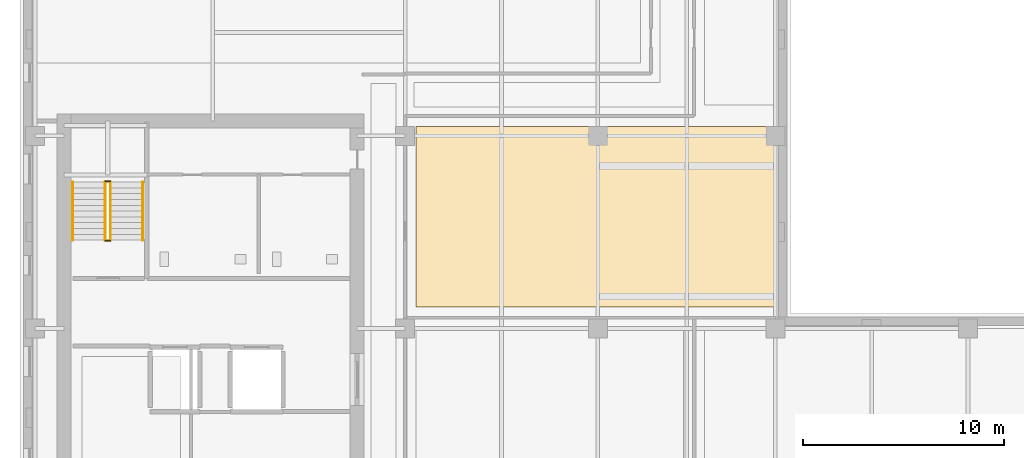
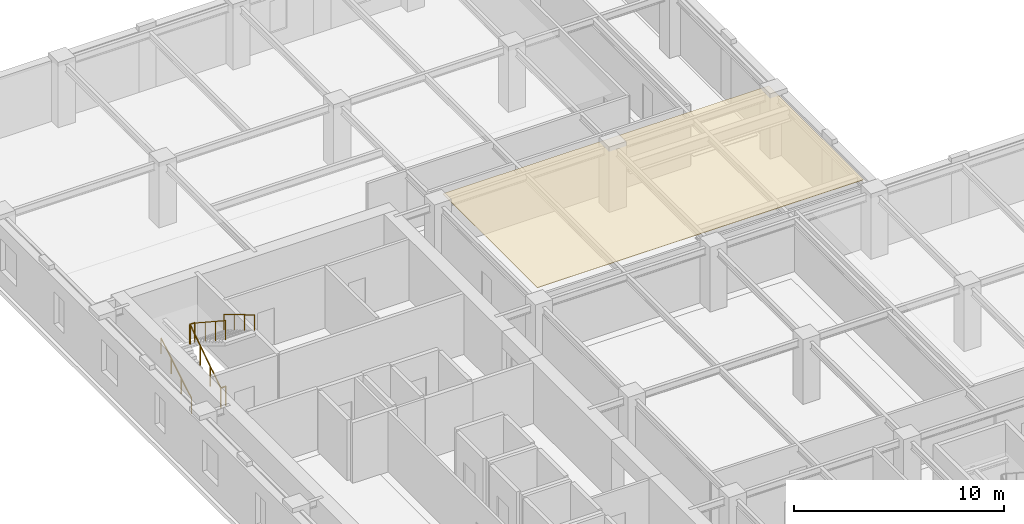
# One storey, part 11 of 13: 6 railings, 1 covering.
"""IFC4 building model written with IfcOpenShell, lengths in metres."""

import ifcopenshell
import ifcopenshell.guid

model = None  # the IFC model being written
_history = None  # IfcOwnerHistory: only IFC2X3 demands one
_inside = {}  # id of a spatial element -> (the spatial element, [elements in it])
_under = {}  # id of a project, library or spatial element -> (it, [spatial elements below it])
_declared = {}  # id of a project -> (the project, [libraries it declares])
_typed = {}  # id of a type object -> (the type object, [elements of that type])
_made_of = {}  # id of a material, layer set ... -> (it, [elements and type objects made of it])


def new_model(schema):
    """Start an empty IFC model of exactly this schema.

    Asked for "IFC4X3", IfcOpenShell would pick the latest addendum, in which some entities
    have other attributes; the version numbers below select the first issue.
    IFC2X3 requires an IfcOwnerHistory on every rooted entity: one is made here for all.
    """
    global model, _history
    if schema == "IFC4X3":
        model = ifcopenshell.file(schema_version=(4, 3, 0, 0))
    else:
        model = ifcopenshell.file(schema=schema)
    _inside.clear()
    _under.clear()
    _declared.clear()
    _typed.clear()
    _made_of.clear()
    _history = None
    if model.schema == "IFC2X3":
        org = make("IfcOrganization", Name="unknown")
        user = make(
            "IfcPersonAndOrganization",
            ThePerson=make("IfcPerson", FamilyName="unknown"),
            TheOrganization=org,
        )
        app = make(
            "IfcApplication",
            ApplicationDeveloper=org,
            Version="unknown",
            ApplicationFullName="unknown",
            ApplicationIdentifier="unknown",
        )
        _history = make(
            "IfcOwnerHistory",
            OwningUser=user,
            OwningApplication=app,
            ChangeAction="ADDED",
            CreationDate=0,
        )
    return model


def make(cls, **values):
    """One entity of the class cls with the attributes given. An attribute that is None is left unset."""
    return model.create_entity(
        cls, **{name: value for name, value in values.items() if value is not None}
    )


def rooted(cls, **values):
    """An entity with a GlobalId (a new one), such as an element, a storey or a relation."""
    return make(cls, GlobalId=ifcopenshell.guid.new(), OwnerHistory=_history, **values)


def si_unit(unit_type, name, prefix=None):
    """IfcSIUnit, for example si_unit("LENGTHUNIT", "METRE", prefix="MILLI")."""
    return make("IfcSIUnit", UnitType=unit_type, Prefix=prefix, Name=name)


def assignment(units):
    """IfcUnitAssignment: the units of a project."""
    return None if units is None else make("IfcUnitAssignment", Units=units)


def point(xyz):
    """IfcCartesianPoint."""
    return None if xyz is None else make("IfcCartesianPoint", Coordinates=xyz)


def direction(xyz):
    """IfcDirection."""
    return None if xyz is None else make("IfcDirection", DirectionRatios=xyz)


def frame(location, z_axis=None, x_axis=None):
    """IfcAxis2Placement3D, a coordinate frame: its origin and axes. An axis left out is left unset."""
    return make(
        "IfcAxis2Placement3D",
        Location=point(location),
        Axis=direction(z_axis),
        RefDirection=direction(x_axis),
    )


def frame_2d(location, x_axis=None):
    """IfcAxis2Placement2D, a coordinate frame in the plane: its origin and x axis."""
    return make(
        "IfcAxis2Placement2D", Location=point(location), RefDirection=direction(x_axis)
    )


def origin():
    """The frame at (0, 0, 0) with its axes left unset."""
    return frame((0.0, 0.0, 0.0))


def origin_2d():
    """The frame at (0, 0) in the plane with its x axis left unset."""
    return frame_2d((0.0, 0.0))


def place(relative_to, where):
    """IfcLocalPlacement: puts the frame where relative to a parent placement (None: the world)."""
    return make(
        "IfcLocalPlacement", PlacementRelTo=relative_to, RelativePlacement=where
    )


def context(
    kind, dimensions, precision=None, world=None, true_north=None, identifier=None
):
    """IfcGeometricRepresentationContext, for example the 3D "Model" context."""
    return make(
        "IfcGeometricRepresentationContext",
        ContextIdentifier=identifier,
        ContextType=kind,
        CoordinateSpaceDimension=dimensions,
        Precision=precision,
        WorldCoordinateSystem=world,
        TrueNorth=true_north,
    )


def subcontext(parent, identifier, kind, view, scale=None):
    """IfcGeometricRepresentationSubContext, for example "Body" below "Model"."""
    return make(
        "IfcGeometricRepresentationSubContext",
        ContextIdentifier=identifier,
        ContextType=kind,
        ParentContext=parent,
        TargetScale=scale,
        TargetView=view,
    )


def project(units=None, contexts=None):
    """IfcProject with its units and contexts."""
    return rooted(
        "IfcProject",
        Name="project",
        RepresentationContexts=contexts,
        UnitsInContext=assignment(units),
    )


def spatial(cls, under=None, at=None, **own):
    """A site, building, storey or space (cls), placed at a placement, below another one or the project."""
    s = rooted(cls, ObjectPlacement=at, **own)
    if under is not None:
        _under.setdefault(under.id(), (under, []))[1].append(s)
    return s


def polyline(points):
    """IfcPolyline through the points."""
    return make("IfcPolyline", Points=[point(p) for p in points])


def profile(cls, at=None, kind="AREA", **sizes):
    """A parametric profile (cls). Its sizes go by their IFC names, for example OverallWidth=200.0."""
    return make(cls, ProfileType=kind, Position=at, **sizes)


def circle(**sizes):
    """IfcCircleProfileDef."""
    return profile("IfcCircleProfileDef", **sizes)


def outline(outer, holes=None, kind="AREA"):
    """IfcArbitraryClosedProfileDef: a profile drawn as a closed curve; with holes, ...WithVoids."""
    if holes is None:
        return make("IfcArbitraryClosedProfileDef", ProfileType=kind, OuterCurve=outer)
    return make(
        "IfcArbitraryProfileDefWithVoids",
        ProfileType=kind,
        OuterCurve=outer,
        InnerCurves=holes,
    )


def extrude(swept, where, along, depth):
    """IfcExtrudedAreaSolid: the profile swept, set in the frame where, extruded along a direction by depth."""
    return make(
        "IfcExtrudedAreaSolid",
        SweptArea=swept,
        Position=where,
        ExtrudedDirection=direction(along),
        Depth=depth,
    )


def shape(context_of_items, identifier, shape_type, items):
    """IfcShapeRepresentation: the items that make up one representation, for example the "Body"."""
    return make(
        "IfcShapeRepresentation",
        ContextOfItems=context_of_items,
        RepresentationIdentifier=identifier,
        RepresentationType=shape_type,
        Items=items,
    )


def material(Name=None, Category=None):
    """IfcMaterial."""
    return make("IfcMaterial", Name=Name, Category=Category)


def layer(
    of_material, thickness, ventilated=None, Name=None, Category=None, Priority=None
):
    """IfcMaterialLayer: one layer of a wall or slab, of a material (None: an air gap)."""
    return make(
        "IfcMaterialLayer",
        Material=of_material,
        LayerThickness=thickness,
        IsVentilated=ventilated,
        Name=Name,
        Category=Category,
        Priority=Priority,
    )


def layer_set(layers, Name=None):
    """IfcMaterialLayerSet."""
    return make("IfcMaterialLayerSet", MaterialLayers=layers, LayerSetName=Name)


def made_of(thing, what):
    """Note that an element or type object is made of a material, layer set ...; save() writes the relation."""
    if what is not None:
        _made_of.setdefault(what.id(), (what, []))[1].append(thing)
    return thing


def type_object(cls, material=None, **own):
    """A type object (cls), such as IfcWallType, which elements share."""
    return made_of(rooted(cls, **own), material)


def element(
    cls,
    number,
    at=None,
    inside=None,
    cuts=None,
    type_object=None,
    material=None,
    context=None,
    identifier="Body",
    shape_type=None,
    held_by="IfcProductDefinitionShape",
    body=None,
    shapes=None,
    **own,
):
    """One element of the class cls, such as IfcWall. Its Tag is "e" and its number.

    at: its placement. inside: the storey or other place that contains it. cuts: it is an
    opening in that element (IfcRelVoidsElement). A single representation is given by context,
    identifier, shape_type and body (its items); several are given by shapes. held_by: the class
    of the entity that holds the representations. save() writes the other relations.
    """
    e = rooted(cls, Tag="e%d" % number, ObjectPlacement=at, **own)
    if body is not None:
        shapes = [shape(context, identifier, shape_type, body)]
    if shapes is not None:
        e.Representation = make(held_by, Representations=shapes)
    if inside is not None:
        _inside.setdefault(inside.id(), (inside, []))[1].append(e)
    if cuts is not None:
        rooted(
            "IfcRelVoidsElement", RelatingBuildingElement=cuts, RelatedOpeningElement=e
        )
    if type_object is not None:
        _typed.setdefault(type_object.id(), (type_object, []))[1].append(e)
    return made_of(e, material)


def aggregate(whole, parts):
    """IfcRelAggregates: a whole, such as a stair, and the parts it consists of."""
    return rooted("IfcRelAggregates", RelatingObject=whole, RelatedObjects=parts)


def save(model, path):
    """Write the relations noted so far, then the file.

    IfcRelAggregates (storeys below a building ...), IfcRelContainedInSpatialStructure (elements
    in a storey), IfcRelDefinesByType, IfcRelAssociatesMaterial and IfcRelDeclares: one each for
    every whole, place, type object, material and project.
    """
    for whole, parts in _under.values():
        aggregate(whole, parts)
    for where, things in _inside.values():
        rooted(
            "IfcRelContainedInSpatialStructure",
            RelatedElements=things,
            RelatingStructure=where,
        )
    for kind, things in _typed.values():
        rooted("IfcRelDefinesByType", RelatedObjects=things, RelatingType=kind)
    for what, things in _made_of.values():
        rooted("IfcRelAssociatesMaterial", RelatedObjects=things, RelatingMaterial=what)
    for by, libraries in _declared.values():
        rooted("IfcRelDeclares", RelatingContext=by, RelatedDefinitions=libraries)
    model.write(path)


model = new_model("IFC4")

# Units and contexts
model_context = context("Model", 3, precision=1e-05, world=origin(), true_north=direction((0.0, 1.0)))
body_context = subcontext(model_context, "Body", "Model", "MODEL_VIEW")
ifc_project = project(units=[si_unit("LENGTHUNIT", "METRE"), si_unit("AREAUNIT", "SQUARE_METRE"), si_unit("VOLUMEUNIT", "CUBIC_METRE"), si_unit("PLANEANGLEUNIT", "RADIAN"), si_unit("MASSUNIT", "GRAM", prefix="KILO")], contexts=[model_context])

# Site, building, storey
site_placement = place(None, origin())
site = spatial("IfcSite", under=ifc_project, at=site_placement, CompositionType="ELEMENT")
building_placement = place(site_placement, origin())
building = spatial("IfcBuilding", under=site, at=building_placement, Name="Norrvale University Quadrangle", CompositionType="ELEMENT")
storey_placement = place(building_placement, frame((0.0, 0.0, 163.60009765625)))
storey = spatial("IfcBuildingStorey", under=building, at=storey_placement, Name="L41", CompositionType="ELEMENT", Elevation=163.60009765625)

# Covering
ifc_material_1 = material(Name="Perforated Acoustic Mineral Ceiling")
ifc_layer = layer(ifc_material_1, 0.02490234375, Name="Perforated Acoustic Mineral Ceiling")
ifc_layer_set = layer_set([ifc_layer], Name="Perforated Acoustic Mineral Ceiling")
covering_type = type_object("IfcCoveringType", Name="Covering Acoustic Ceiling 25", PredefinedType="CEILING", material=ifc_layer_set)
covering_placement = place(storey_placement, frame((0.0, 0.0, 3.514892578125)))
element("IfcCovering", 1, at=covering_placement, inside=storey, type_object=covering_type, Name="Acoustic Ceiling RM-L41-MNE01", PredefinedType="CEILING", context=body_context, shape_type="SweptSolid", body=[
    extrude(outline(polyline([(19.72998046875, 47.719970703125), (37.64990234375, 47.719970703125), (37.64990234375, 38.7099609375), (19.72998046875, 38.7099609375), (19.72998046875, 47.719970703125)])), origin(), (0.0, 0.0, 1.0), 0.02490234375),
])

# Railings
ifc_material_2 = material(Name="Steel 350W Painted Balustrade", Category="steel")
railing_type_1 = type_object("IfcRailingType", Name="Railing Stair Guard 1100", PredefinedType="GUARDRAIL", material=ifc_material_2)
for number, where, name in (
    (2, (4.239990234375, 42.02001953125, 0.0), "Stair Floor Well Guard ST-02 L41"),
    (3, (4.239990234375, 44.97998046875, 1.89990234375), "Stair Mid-Landing Slot Guard ST-02 L41"),
):
    element("IfcRailing", number, at=place(storey_placement, frame(where)), inside=storey, type_object=railing_type_1, Name=name, PredefinedType="GUARDRAIL", context=body_context, shape_type="SweptSolid", body=[
        extrude(circle(Radius=0.02392578125, at=origin_2d()), frame((0.0, 0.0, 1.1259765625), z_axis=(1.0, 0.0, 0.0), x_axis=(0.0, 1.0, 0.0)), (0.0, 0.0, 1.0), 0.27001953125),
        extrude(circle(Radius=0.02099609375, at=origin_2d()), origin(), (0.0, 0.0, 1.0), 1.101806640625),
        extrude(circle(Radius=0.02099609375, at=origin_2d()), frame((0.27001953125, 0.0, 0.0)), (0.0, 0.0, 1.0), 1.101806640625),
    ])
railing_1_placement = place(storey_placement, frame((4.239990234375, 42.050048828125, 0.0)))
element("IfcRailing", 4, at=railing_1_placement, inside=storey, type_object=railing_type_1, Name="Stair Lower Flight Inner Guard ST-02 L41", PredefinedType="GUARDRAIL", context=body_context, shape_type="SweptSolid", body=[
    extrude(circle(Radius=0.02392578125, at=origin_2d()), frame((0.0, 0.0, 1.1259765625), z_axis=(0.0, 0.836465582154, 0.548019461216), x_axis=(-1.0, 0.0, 0.0)), (0.0, 0.0, 1.0), 3.466796875),
    extrude(circle(Radius=0.02099609375, at=origin_2d()), origin(), (0.0, 0.0, 1.0), 1.101806640625),
    extrude(circle(Radius=0.02099609375, at=origin_2d()), frame((0.0, 0.966552734375, 0.63330078125)), (0.0, 0.0, 1.0), 1.101806640625),
    extrude(circle(Radius=0.02099609375, at=origin_2d()), frame((0.0, 1.933349609375, 1.2666015625)), (0.0, 0.0, 1.0), 1.101806640625),
    extrude(circle(Radius=0.02099609375, at=origin_2d()), frame((0.0, 2.89990234375, 1.89990234375)), (0.0, 0.0, 1.0), 1.101806640625),
])
railing_2_placement = place(storey_placement, frame((4.510009765625, 44.949951171875, 1.89990234375)))
element("IfcRailing", 5, at=railing_2_placement, inside=storey, type_object=railing_type_1, Name="Stair Upper Flight Inner Guard ST-02 L41", PredefinedType="GUARDRAIL", context=body_context, shape_type="SweptSolid", body=[
    extrude(circle(Radius=0.02392578125, at=origin_2d()), frame((0.0, 0.0, 1.1259765625), z_axis=(0.0, -0.836465582154, 0.548019461216), x_axis=(1.0, 0.0, 0.0)), (0.0, 0.0, 1.0), 3.466796875),
    extrude(circle(Radius=0.02099609375, at=origin_2d()), origin(), (0.0, 0.0, 1.0), 1.101806640625),
    extrude(circle(Radius=0.02099609375, at=origin_2d()), frame((0.0, -0.966552734375, 0.63330078125)), (0.0, 0.0, 1.0), 1.101806640625),
    extrude(circle(Radius=0.02099609375, at=origin_2d()), frame((0.0, -1.933349609375, 1.2666015625)), (0.0, 0.0, 1.0), 1.101806640625),
    extrude(circle(Radius=0.02099609375, at=origin_2d()), frame((0.0, -2.89990234375, 1.89990234375)), (0.0, 0.0, 1.0), 1.101806640625),
])
ifc_material_3 = material(Name="Stainless Steel 316L Handrail", Category="steel")
railing_type_2 = type_object("IfcRailingType", Name="Railing Stair Handrail 920", PredefinedType="HANDRAIL", material=ifc_material_3)
railing_3_placement = place(storey_placement, frame((2.639892578125, 42.050048828125, 0.172607421875)))
element("IfcRailing", 6, at=railing_3_placement, inside=storey, type_object=railing_type_2, Name="Stair Lower Flight Handrail ST-02 L41", PredefinedType="HANDRAIL", context=body_context, shape_type="SweptSolid", body=[
    extrude(circle(Radius=0.02392578125, at=origin_2d()), frame((0.0, 0.0, 0.89599609375), z_axis=(0.0, 0.859141464434, 0.511738159696), x_axis=(-1.0, 0.0, 0.0)), (0.0, 0.0, 1.0), 3.375244140625),
    extrude(circle(Radius=0.02099609375, at=origin_2d()), origin(), (0.0, 0.0, 1.0), 0.871826171875),
    extrude(circle(Radius=0.02099609375, at=origin_2d()), frame((0.0, 0.966552734375, 0.57568359375)), (0.0, 0.0, 1.0), 0.871826171875),
    extrude(circle(Radius=0.02099609375, at=origin_2d()), frame((0.0, 1.933349609375, 1.151611328125)), (0.0, 0.0, 1.0), 0.871826171875),
    extrude(circle(Radius=0.02099609375, at=origin_2d()), frame((0.0, 2.89990234375, 1.727294921875)), (0.0, 0.0, 1.0), 0.871826171875),
])
railing_4_placement = place(storey_placement, frame((6.110107421875, 44.949951171875, 2.072509765625)))
element("IfcRailing", 7, at=railing_4_placement, inside=storey, type_object=railing_type_2, Name="Stair Upper Flight Handrail ST-02 L41", PredefinedType="HANDRAIL", context=body_context, shape_type="SweptSolid", body=[
    extrude(circle(Radius=0.02392578125, at=origin_2d()), frame((0.0, 0.0, 0.89599609375), z_axis=(0.0, -0.859141464434, 0.511738159696), x_axis=(1.0, 0.0, 0.0)), (0.0, 0.0, 1.0), 3.375244140625),
    extrude(circle(Radius=0.02099609375, at=origin_2d()), origin(), (0.0, 0.0, 1.0), 0.871826171875),
    extrude(circle(Radius=0.02099609375, at=origin_2d()), frame((0.0, -0.966552734375, 0.57568359375)), (0.0, 0.0, 1.0), 0.871826171875),
    extrude(circle(Radius=0.02099609375, at=origin_2d()), frame((0.0, -1.933349609375, 1.151611328125)), (0.0, 0.0, 1.0), 0.871826171875),
    extrude(circle(Radius=0.02099609375, at=origin_2d()), frame((0.0, -2.89990234375, 1.727294921875)), (0.0, 0.0, 1.0), 0.871826171875),
])

save(model, "model.ifc")
